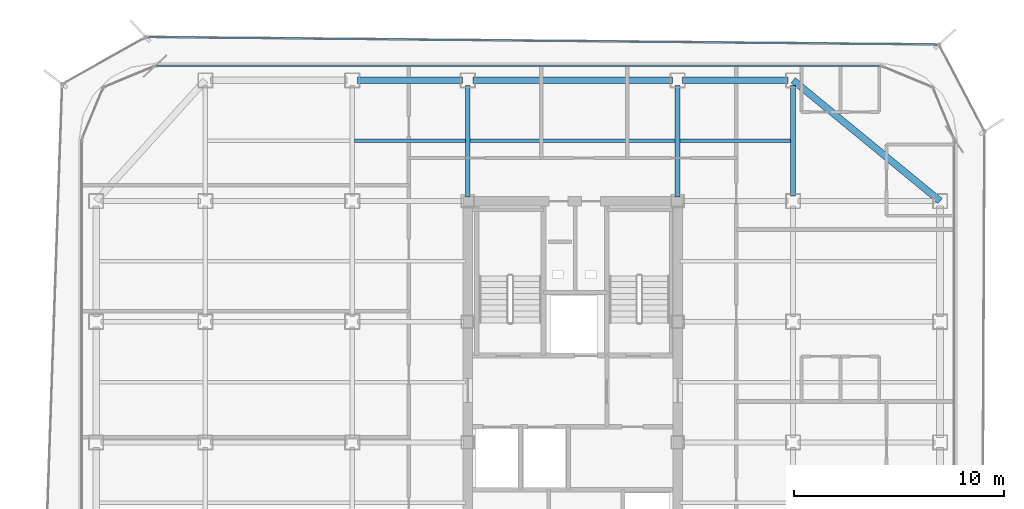
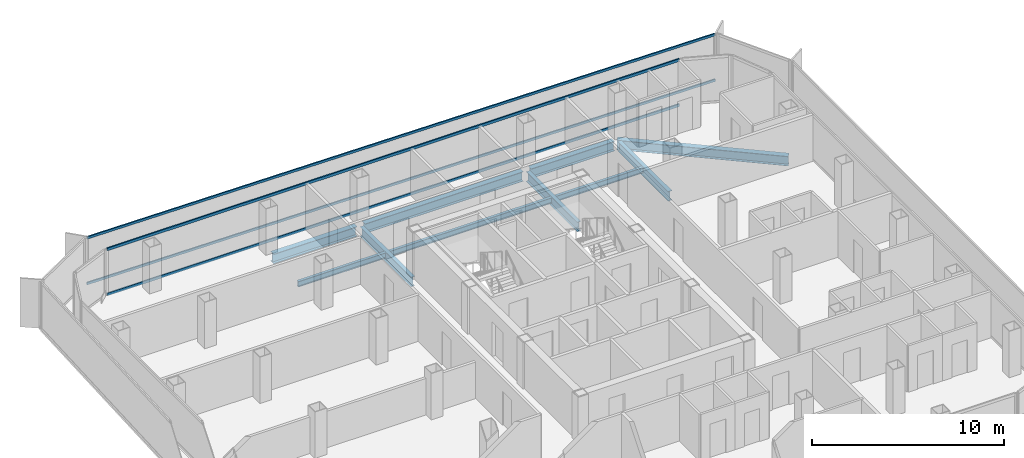
# One storey, part 7 of 15: 10 beams, 4 members, 2 elements without a shape of their own.
"""IFC4 building model written with IfcOpenShell, lengths in metres."""

import ifcopenshell
import ifcopenshell.guid

model = None  # the IFC model being written
_history = None  # IfcOwnerHistory: only IFC2X3 demands one
_inside = {}  # id of a spatial element -> (the spatial element, [elements in it])
_under = {}  # id of a project, library or spatial element -> (it, [spatial elements below it])
_declared = {}  # id of a project -> (the project, [libraries it declares])
_typed = {}  # id of a type object -> (the type object, [elements of that type])
_made_of = {}  # id of a material, layer set ... -> (it, [elements and type objects made of it])


def new_model(schema):
    """Start an empty IFC model of exactly this schema.

    Asked for "IFC4X3", IfcOpenShell would pick the latest addendum, in which some entities
    have other attributes; the version numbers below select the first issue.
    IFC2X3 requires an IfcOwnerHistory on every rooted entity: one is made here for all.
    """
    global model, _history
    if schema == "IFC4X3":
        model = ifcopenshell.file(schema_version=(4, 3, 0, 0))
    else:
        model = ifcopenshell.file(schema=schema)
    _inside.clear()
    _under.clear()
    _declared.clear()
    _typed.clear()
    _made_of.clear()
    _history = None
    if model.schema == "IFC2X3":
        org = make("IfcOrganization", Name="unknown")
        user = make(
            "IfcPersonAndOrganization",
            ThePerson=make("IfcPerson", FamilyName="unknown"),
            TheOrganization=org,
        )
        app = make(
            "IfcApplication",
            ApplicationDeveloper=org,
            Version="unknown",
            ApplicationFullName="unknown",
            ApplicationIdentifier="unknown",
        )
        _history = make(
            "IfcOwnerHistory",
            OwningUser=user,
            OwningApplication=app,
            ChangeAction="ADDED",
            CreationDate=0,
        )
    return model


def make(cls, **values):
    """One entity of the class cls with the attributes given. An attribute that is None is left unset."""
    return model.create_entity(
        cls, **{name: value for name, value in values.items() if value is not None}
    )


def rooted(cls, **values):
    """An entity with a GlobalId (a new one), such as an element, a storey or a relation."""
    return make(cls, GlobalId=ifcopenshell.guid.new(), OwnerHistory=_history, **values)


def si_unit(unit_type, name, prefix=None):
    """IfcSIUnit, for example si_unit("LENGTHUNIT", "METRE", prefix="MILLI")."""
    return make("IfcSIUnit", UnitType=unit_type, Prefix=prefix, Name=name)


def assignment(units):
    """IfcUnitAssignment: the units of a project."""
    return None if units is None else make("IfcUnitAssignment", Units=units)


def point(xyz):
    """IfcCartesianPoint."""
    return None if xyz is None else make("IfcCartesianPoint", Coordinates=xyz)


def direction(xyz):
    """IfcDirection."""
    return None if xyz is None else make("IfcDirection", DirectionRatios=xyz)


def frame(location, z_axis=None, x_axis=None):
    """IfcAxis2Placement3D, a coordinate frame: its origin and axes. An axis left out is left unset."""
    return make(
        "IfcAxis2Placement3D",
        Location=point(location),
        Axis=direction(z_axis),
        RefDirection=direction(x_axis),
    )


def frame_2d(location, x_axis=None):
    """IfcAxis2Placement2D, a coordinate frame in the plane: its origin and x axis."""
    return make(
        "IfcAxis2Placement2D", Location=point(location), RefDirection=direction(x_axis)
    )


def origin():
    """The frame at (0, 0, 0) with its axes left unset."""
    return frame((0.0, 0.0, 0.0))


def origin_2d():
    """The frame at (0, 0) in the plane with its x axis left unset."""
    return frame_2d((0.0, 0.0))


def place(relative_to, where):
    """IfcLocalPlacement: puts the frame where relative to a parent placement (None: the world)."""
    return make(
        "IfcLocalPlacement", PlacementRelTo=relative_to, RelativePlacement=where
    )


def context(
    kind, dimensions, precision=None, world=None, true_north=None, identifier=None
):
    """IfcGeometricRepresentationContext, for example the 3D "Model" context."""
    return make(
        "IfcGeometricRepresentationContext",
        ContextIdentifier=identifier,
        ContextType=kind,
        CoordinateSpaceDimension=dimensions,
        Precision=precision,
        WorldCoordinateSystem=world,
        TrueNorth=true_north,
    )


def subcontext(parent, identifier, kind, view, scale=None):
    """IfcGeometricRepresentationSubContext, for example "Body" below "Model"."""
    return make(
        "IfcGeometricRepresentationSubContext",
        ContextIdentifier=identifier,
        ContextType=kind,
        ParentContext=parent,
        TargetScale=scale,
        TargetView=view,
    )


def project(units=None, contexts=None):
    """IfcProject with its units and contexts."""
    return rooted(
        "IfcProject",
        Name="project",
        RepresentationContexts=contexts,
        UnitsInContext=assignment(units),
    )


def spatial(cls, under=None, at=None, **own):
    """A site, building, storey or space (cls), placed at a placement, below another one or the project."""
    s = rooted(cls, ObjectPlacement=at, **own)
    if under is not None:
        _under.setdefault(under.id(), (under, []))[1].append(s)
    return s


def profile(cls, at=None, kind="AREA", **sizes):
    """A parametric profile (cls). Its sizes go by their IFC names, for example OverallWidth=200.0."""
    return make(cls, ProfileType=kind, Position=at, **sizes)


def hollow_rectangle(**sizes):
    """IfcRectangleHollowProfileDef."""
    return profile("IfcRectangleHollowProfileDef", **sizes)


def i_section(**sizes):
    """IfcIShapeProfileDef."""
    return profile("IfcIShapeProfileDef", **sizes)


def extrude(swept, where, along, depth):
    """IfcExtrudedAreaSolid: the profile swept, set in the frame where, extruded along a direction by depth."""
    return make(
        "IfcExtrudedAreaSolid",
        SweptArea=swept,
        Position=where,
        ExtrudedDirection=direction(along),
        Depth=depth,
    )


def shape(context_of_items, identifier, shape_type, items):
    """IfcShapeRepresentation: the items that make up one representation, for example the "Body"."""
    return make(
        "IfcShapeRepresentation",
        ContextOfItems=context_of_items,
        RepresentationIdentifier=identifier,
        RepresentationType=shape_type,
        Items=items,
    )


def source(mapping_origin, context_of_items, identifier, shape_type, items):
    """IfcRepresentationMap: a shape defined once, which mapped items show again and again."""
    return make(
        "IfcRepresentationMap",
        MappingOrigin=mapping_origin,
        MappedRepresentation=shape(context_of_items, identifier, shape_type, items),
    )


def transform(
    local_origin,
    x_axis=None,
    y_axis=None,
    z_axis=None,
    scale=None,
    scale2=None,
    scale3=None,
    uniform=True,
):
    """IfcCartesianTransformationOperator3D, or its non-uniform kind. x_axis, y_axis, z_axis: its Axis1, 2, 3."""
    if uniform:
        return make(
            "IfcCartesianTransformationOperator3D",
            Axis1=direction(x_axis),
            Axis2=direction(y_axis),
            LocalOrigin=point(local_origin),
            Scale=scale,
            Axis3=direction(z_axis),
        )
    return make(
        "IfcCartesianTransformationOperator3DnonUniform",
        Axis1=direction(x_axis),
        Axis2=direction(y_axis),
        LocalOrigin=point(local_origin),
        Scale=scale,
        Axis3=direction(z_axis),
        Scale2=scale2,
        Scale3=scale3,
    )


def mapped(mapping_source, mapping_target):
    """IfcMappedItem: shows the shape of a source again, moved by a transform."""
    return make(
        "IfcMappedItem", MappingSource=mapping_source, MappingTarget=mapping_target
    )


def material(Name=None, Category=None):
    """IfcMaterial."""
    return make("IfcMaterial", Name=Name, Category=Category)


def layer(
    of_material, thickness, ventilated=None, Name=None, Category=None, Priority=None
):
    """IfcMaterialLayer: one layer of a wall or slab, of a material (None: an air gap)."""
    return make(
        "IfcMaterialLayer",
        Material=of_material,
        LayerThickness=thickness,
        IsVentilated=ventilated,
        Name=Name,
        Category=Category,
        Priority=Priority,
    )


def layer_set(layers, Name=None):
    """IfcMaterialLayerSet."""
    return make("IfcMaterialLayerSet", MaterialLayers=layers, LayerSetName=Name)


def material_profile(
    of_material, cross_section, Name=None, Category=None, Priority=None
):
    """IfcMaterialProfile: a cross section and its material."""
    return make(
        "IfcMaterialProfile",
        Name=Name,
        Material=of_material,
        Profile=cross_section,
        Priority=Priority,
        Category=Category,
    )


def profile_set(profiles, Name=None, composite=None):
    """IfcMaterialProfileSet."""
    return make(
        "IfcMaterialProfileSet",
        Name=Name,
        MaterialProfiles=profiles,
        CompositeProfile=composite,
    )


def made_of(thing, what):
    """Note that an element or type object is made of a material, layer set ...; save() writes the relation."""
    if what is not None:
        _made_of.setdefault(what.id(), (what, []))[1].append(thing)
    return thing


def type_object(cls, material=None, **own):
    """A type object (cls), such as IfcWallType, which elements share."""
    return made_of(rooted(cls, **own), material)


def element(
    cls,
    number,
    at=None,
    inside=None,
    cuts=None,
    type_object=None,
    material=None,
    context=None,
    identifier="Body",
    shape_type=None,
    held_by="IfcProductDefinitionShape",
    body=None,
    shapes=None,
    **own,
):
    """One element of the class cls, such as IfcWall. Its Tag is "e" and its number.

    at: its placement. inside: the storey or other place that contains it. cuts: it is an
    opening in that element (IfcRelVoidsElement). A single representation is given by context,
    identifier, shape_type and body (its items); several are given by shapes. held_by: the class
    of the entity that holds the representations. save() writes the other relations.
    """
    e = rooted(cls, Tag="e%d" % number, ObjectPlacement=at, **own)
    if body is not None:
        shapes = [shape(context, identifier, shape_type, body)]
    if shapes is not None:
        e.Representation = make(held_by, Representations=shapes)
    if inside is not None:
        _inside.setdefault(inside.id(), (inside, []))[1].append(e)
    if cuts is not None:
        rooted(
            "IfcRelVoidsElement", RelatingBuildingElement=cuts, RelatedOpeningElement=e
        )
    if type_object is not None:
        _typed.setdefault(type_object.id(), (type_object, []))[1].append(e)
    return made_of(e, material)


def aggregate(whole, parts):
    """IfcRelAggregates: a whole, such as a stair, and the parts it consists of."""
    return rooted("IfcRelAggregates", RelatingObject=whole, RelatedObjects=parts)


def save(model, path):
    """Write the relations noted so far, then the file.

    IfcRelAggregates (storeys below a building ...), IfcRelContainedInSpatialStructure (elements
    in a storey), IfcRelDefinesByType, IfcRelAssociatesMaterial and IfcRelDeclares: one each for
    every whole, place, type object, material and project.
    """
    for whole, parts in _under.values():
        aggregate(whole, parts)
    for where, things in _inside.values():
        rooted(
            "IfcRelContainedInSpatialStructure",
            RelatedElements=things,
            RelatingStructure=where,
        )
    for kind, things in _typed.values():
        rooted("IfcRelDefinesByType", RelatedObjects=things, RelatingType=kind)
    for what, things in _made_of.values():
        rooted("IfcRelAssociatesMaterial", RelatedObjects=things, RelatingMaterial=what)
    for by, libraries in _declared.values():
        rooted("IfcRelDeclares", RelatingContext=by, RelatedDefinitions=libraries)
    model.write(path)


model = new_model("IFC4")

# Units and contexts
model_context = context("Model", 3, precision=1e-05, world=origin(), true_north=direction((0.0, 1.0)))
body_context = subcontext(model_context, "Body", "Model", "MODEL_VIEW")
ifc_project = project(units=[si_unit("LENGTHUNIT", "METRE"), si_unit("AREAUNIT", "SQUARE_METRE"), si_unit("VOLUMEUNIT", "CUBIC_METRE"), si_unit("PLANEANGLEUNIT", "RADIAN"), si_unit("MASSUNIT", "GRAM", prefix="KILO")], contexts=[model_context])

# Site, building, storey
site_placement = place(None, origin())
site = spatial("IfcSite", under=ifc_project, at=site_placement, CompositionType="ELEMENT")
building_placement = place(site_placement, origin())
building = spatial("IfcBuilding", under=site, at=building_placement, Name="Kolveth Station Tower", CompositionType="ELEMENT")
storey_placement = place(building_placement, frame((0.0, 0.0, 199.60009765625)))
storey = spatial("IfcBuildingStorey", under=building, at=storey_placement, Name="L56", CompositionType="ELEMENT", Elevation=199.60009765625)

# Beams
ifc_material_1 = material(Name="Steel S355", Category="steel")
ifc_material_profile_1 = material_profile(ifc_material_1, i_section(OverallWidth=0.323974609375, OverallDepth=0.611083984375, WebThickness=0.0126953125, FlangeThickness=0.01904296875, at=origin_2d()), Name="W610x155")
ifc_profile_set_1 = profile_set([ifc_material_profile_1], Name="Steel S355")
beam_type_1 = type_object("IfcBeamType", Name="Beam_SP2", PredefinedType="SPANDREL", material=ifc_profile_set_1)
shared_shape_1 = source(origin(), body_context, "Body", "SweptSolid", [
    extrude(i_section(OverallWidth=0.323974609375, OverallDepth=0.611083984375, WebThickness=0.0126953125, FlangeThickness=0.01904296875, at=origin_2d()), origin(), (0.0, 0.0, 1.0), 5.02001953125),
])
for number, where, z_axis, x_axis, name in (
    (1, (13.239990234375, 34.5, -0.5556640625), (1.0, 0.0, 0.0), (0.0, 1.0, 0.0), "L56 Perimeter Spandrel BM-L56-PN-2"),
    (2, (28.739990234375, 34.5, -0.5556640625), (1.0, 0.0, 0.0), (0.0, 1.0, 0.0), "L56 Perimeter Spandrel BM-L56-PN-4"),
):
    element("IfcBeam", number, at=place(storey_placement, frame(where, z_axis=z_axis, x_axis=x_axis)), inside=storey, type_object=beam_type_1, Name=name, PredefinedType="SPANDREL", context=body_context, shape_type="MappedRepresentation", body=[
        mapped(shared_shape_1, transform((0.0, 0.0, 0.0), x_axis=(1.0, 0.0, 0.0), y_axis=(0.0, 1.0, 0.0), z_axis=(0.0, 0.0, 1.0), scale=1.0)),
    ])
shared_shape_2 = source(origin(), body_context, "Body", "SweptSolid", [
    extrude(i_section(OverallWidth=0.323974609375, OverallDepth=0.611083984375, WebThickness=0.0126953125, FlangeThickness=0.01904296875, at=origin_2d()), origin(), (0.0, 0.0, 1.0), 9.52001953125),
])
beam_1_placement = place(storey_placement, frame((18.739990234375, 34.5, -0.5556640625), z_axis=(1.0, 0.0, 0.0), x_axis=(0.0, 1.0, 0.0)))
element("IfcBeam", 3, at=beam_1_placement, inside=storey, type_object=beam_type_1, Name="L56 Perimeter Spandrel BM-L56-PN-3", PredefinedType="SPANDREL", context=body_context, shape_type="MappedRepresentation", body=[
    mapped(shared_shape_2, transform((0.0, 0.0, 0.0), x_axis=(1.0, 0.0, 0.0), y_axis=(0.0, 1.0, 0.0), z_axis=(0.0, 0.0, 1.0), scale=1.0)),
])
shared_shape_3 = source(origin(), body_context, "Body", "SweptSolid", [
    extrude(i_section(OverallWidth=0.323974609375, OverallDepth=0.611083984375, WebThickness=0.0126953125, FlangeThickness=0.01904296875, at=origin_2d()), origin(), (0.0, 0.0, 1.0), 9.058837890625),
])
beam_2_placement = place(storey_placement, frame((41.0, 28.75, -0.5556640625), z_axis=(-0.772726254525, 0.63473942336, 0.0), x_axis=(-0.63473942336, -0.772726254525, 0.0)))
element("IfcBeam", 4, at=beam_2_placement, inside=storey, type_object=beam_type_1, Name="L56 Corner Edge Girder BM-L56-CNR-NE", PredefinedType="SPANDREL", context=body_context, shape_type="MappedRepresentation", body=[
    mapped(shared_shape_3, transform((0.0, 0.0, 0.0), x_axis=(1.0, 0.0, 0.0), y_axis=(0.0, 1.0, 0.0), z_axis=(0.0, 0.0, 1.0), scale=1.0)),
])
ifc_material_profile_2 = material_profile(ifc_material_1, i_section(OverallWidth=0.22900390625, OverallDepth=0.612060546875, WebThickness=0.011962890625, FlangeThickness=0.01953125, at=origin_2d()), Name="W610x125")
ifc_profile_set_2 = profile_set([ifc_material_profile_2], Name="Steel S355")
beam_type_2 = type_object("IfcBeamType", Name="Beam_B5", PredefinedType="BEAM", material=ifc_profile_set_2)
shared_shape_4 = source(origin(), body_context, "Body", "SweptSolid", [
    extrude(i_section(OverallWidth=0.22900390625, OverallDepth=0.612060546875, WebThickness=0.011962890625, FlangeThickness=0.01953125, at=origin_2d()), origin(), (0.0, 0.0, 1.0), 5.27001953125),
])
beam_3_placement = place(storey_placement, frame((34.0, 28.989990234375, -0.55615234375), z_axis=(0.0, 1.0, 0.0), x_axis=(-1.0, 0.0, 0.0)))
element("IfcBeam", 5, at=beam_3_placement, inside=storey, type_object=beam_type_2, Name="L56 Primary Girder BM-L56-GX340-6", PredefinedType="BEAM", context=body_context, shape_type="MappedRepresentation", body=[
    mapped(shared_shape_4, transform((0.0, 0.0, 0.0), x_axis=(1.0, 0.0, 0.0), y_axis=(0.0, 1.0, 0.0), z_axis=(0.0, 0.0, 1.0), scale=1.0)),
])
shared_shape_5 = source(origin(), body_context, "Body", "SweptSolid", [
    extrude(i_section(OverallWidth=0.22900390625, OverallDepth=0.612060546875, WebThickness=0.011962890625, FlangeThickness=0.01953125, at=origin_2d()), origin(), (0.0, 0.0, 1.0), 5.31005859375),
])
for number, where, z_axis, x_axis, name in (
    (6, (18.5, 28.949951171875, -0.55615234375), (0.0, 1.0, 0.0), (-1.0, 0.0, 0.0), "L56 Primary Girder BM-L56-GX185-6"),
    (7, (28.5, 28.949951171875, -0.55615234375), (0.0, 1.0, 0.0), (-1.0, 0.0, 0.0), "L56 Primary Girder BM-L56-GX285-6"),
):
    element("IfcBeam", number, at=place(storey_placement, frame(where, z_axis=z_axis, x_axis=x_axis)), inside=storey, type_object=beam_type_2, Name=name, PredefinedType="BEAM", context=body_context, shape_type="MappedRepresentation", body=[
        mapped(shared_shape_5, transform((0.0, 0.0, 0.0), x_axis=(1.0, 0.0, 0.0), y_axis=(0.0, 1.0, 0.0), z_axis=(0.0, 0.0, 1.0), scale=1.0)),
    ])
ifc_material_profile_3 = material_profile(ifc_material_1, i_section(OverallWidth=0.1708984375, OverallDepth=0.35205078125, WebThickness=0.0068359375, FlangeThickness=0.009765625, at=origin_2d()), Name="W360x44")
ifc_profile_set_3 = profile_set([ifc_material_profile_3], Name="Steel S355")
beam_type_3 = type_object("IfcBeamType", Name="Beam_J2", PredefinedType="JOIST", material=ifc_profile_set_3)
shared_shape_6 = source(origin(), body_context, "Body", "SweptSolid", [
    extrude(i_section(OverallWidth=0.1708984375, OverallDepth=0.35205078125, WebThickness=0.0068359375, FlangeThickness=0.009765625, at=origin_2d()), origin(), (0.0, 0.0, 1.0), 5.27490234375),
])
for number, where, z_axis, x_axis, name in (
    (8, (13.112548828125, 31.625, -0.426025390625), (1.0, 0.0, 0.0), (0.0, 1.0, 0.0), "L56 Secondary Joist JST-L56-3-6"),
    (9, (28.612548828125, 31.625, -0.426025390625), (1.0, 0.0, 0.0), (0.0, 1.0, 0.0), "L56 Secondary Joist JST-L56-5-6"),
):
    element("IfcBeam", number, at=place(storey_placement, frame(where, z_axis=z_axis, x_axis=x_axis)), inside=storey, type_object=beam_type_3, Name=name, PredefinedType="JOIST", context=body_context, shape_type="MappedRepresentation", body=[
        mapped(shared_shape_6, transform((0.0, 0.0, 0.0), x_axis=(1.0, 0.0, 0.0), y_axis=(0.0, 1.0, 0.0), z_axis=(0.0, 0.0, 1.0), scale=1.0)),
    ])
shared_shape_7 = source(origin(), body_context, "Body", "SweptSolid", [
    extrude(i_section(OverallWidth=0.1708984375, OverallDepth=0.35205078125, WebThickness=0.0068359375, FlangeThickness=0.009765625, at=origin_2d()), origin(), (0.0, 0.0, 1.0), 9.77490234375),
])
beam_4_placement = place(storey_placement, frame((18.612548828125, 31.625, -0.426025390625), z_axis=(1.0, 0.0, 0.0), x_axis=(0.0, 1.0, 0.0)))
element("IfcBeam", 10, at=beam_4_placement, inside=storey, type_object=beam_type_3, Name="L56 Secondary Joist JST-L56-4-6", PredefinedType="JOIST", context=body_context, shape_type="MappedRepresentation", body=[
    mapped(shared_shape_7, transform((0.0, 0.0, 0.0), x_axis=(1.0, 0.0, 0.0), y_axis=(0.0, 1.0, 0.0), z_axis=(0.0, 0.0, 1.0), scale=1.0)),
])

# Curtain wall, members
ifc_material_2 = material(Name="Aluminium 6063-T6 and low-E dark glass", Category="aluminium")
ifc_layer_1 = layer(ifc_material_2, 0.18994140625)
ifc_layer_set_1 = layer_set([ifc_layer_1], Name="Aluminium 6063-T6 and low-E dark glass")
curtain_wall_type_1 = type_object("IfcCurtainWallType", Name="CurtainWall_CW-Z2", PredefinedType="NOTDEFINED", material=ifc_layer_set_1)
curtain_wall_1_placement = place(storey_placement, origin())
curtain_wall_1 = element("IfcCurtainWall", 11, at=curtain_wall_1_placement, inside=storey, type_object=curtain_wall_type_1, Name="L56 Inner Thermal Curtain Wall 6", PredefinedType="NOTDEFINED")
ifc_material_3 = material(Name="Black anodized aluminium 6063-T6", Category="aluminium")
ifc_material_profile_4 = material_profile(ifc_material_3, hollow_rectangle(XDim=0.080078125, YDim=0.169921875, WallThickness=0.0048828125, at=origin_2d()), Name="ALU-80x170x5")
ifc_profile_set_4 = profile_set([ifc_material_profile_4], Name="Black anodized aluminium 6063-T6")
member_type_1 = type_object("IfcMemberType", Name="Transom_TR2", PredefinedType="USERDEFINED", material=ifc_profile_set_4)
shared_shape_8 = source(origin(), body_context, "Body", "SweptSolid", [
    extrude(hollow_rectangle(XDim=0.080078125, YDim=0.169921875, WallThickness=0.0048828125, at=origin_2d()), origin(), (0.0, 0.0, 1.0), 34.440185546875),
])
member_1_placement = place(storey_placement, frame((38.1201171875, 35.179931640625, 0.039794921875), z_axis=(-1.0, 0.0, 0.0), x_axis=(0.0, -1.0, 0.0)))
member_1 = element("IfcMember", 12, at=member_1_placement, type_object=member_type_1, Name="CW-Z2 transom 1.1", ObjectType="TRANSOM", PredefinedType="USERDEFINED", context=body_context, shape_type="MappedRepresentation", body=[
    mapped(shared_shape_8, transform((0.0, 0.0, 0.0), x_axis=(1.0, 0.0, 0.0), y_axis=(0.0, 1.0, 0.0), z_axis=(0.0, 0.0, 1.0), scale=1.0)),
])
member_2_placement = place(storey_placement, frame((38.1201171875, 35.179931640625, 2.909912109375), z_axis=(-1.0, 0.0, 0.0), x_axis=(0.0, -1.0, 0.0)))
member_2 = element("IfcMember", 13, at=member_2_placement, type_object=member_type_1, Name="CW-Z2 transom 1.2", ObjectType="TRANSOM", PredefinedType="USERDEFINED", context=body_context, shape_type="MappedRepresentation", body=[
    mapped(shared_shape_8, transform((0.0, 0.0, 0.0), x_axis=(1.0, 0.0, 0.0), y_axis=(0.0, 1.0, 0.0), z_axis=(0.0, 0.0, 1.0), scale=1.0)),
])
aggregate(curtain_wall_1, [member_1, member_2])

ifc_material_4 = material(Name="Black anodized aluminium 6063-T6 and dark solar glass", Category="aluminium")
ifc_layer_2 = layer(ifc_material_4, 0.159912109375)
ifc_layer_set_2 = layer_set([ifc_layer_2], Name="Black anodized aluminium 6063-T6 and dark solar glass")
curtain_wall_type_2 = type_object("IfcCurtainWallType", Name="OUTER SKIN CW-OS", PredefinedType="NOTDEFINED", material=ifc_layer_set_2)
curtain_wall_2_placement = place(storey_placement, origin())
curtain_wall_2 = element("IfcCurtainWall", 14, at=curtain_wall_2_placement, inside=storey, type_object=curtain_wall_type_2, Name="L56 Outer Ventilated Skin Curtain Wall 4", PredefinedType="NOTDEFINED")
ifc_material_profile_5 = material_profile(ifc_material_3, hollow_rectangle(XDim=0.080078125, YDim=0.14990234375, WallThickness=0.0048828125, at=origin_2d()), Name="ALU-80x150x5")
ifc_profile_set_5 = profile_set([ifc_material_profile_5], Name="Black anodized aluminium 6063-T6")
member_type_2 = type_object("IfcMemberType", Name="Transom_TR-OS", PredefinedType="USERDEFINED", material=ifc_profile_set_5)
shared_shape_9 = source(origin(), body_context, "Body", "SweptSolid", [
    extrude(hollow_rectangle(XDim=0.080078125, YDim=0.14990234375, WallThickness=0.0048828125, at=origin_2d()), origin(), (0.0, 0.0, 1.0), 37.603759765625),
])
member_3_placement = place(storey_placement, frame((40.86181640625, 36.200439453125, 0.039794921875), z_axis=(-0.999954826913, 0.0095049531, 0.0), x_axis=(-0.0095049531, -0.999954826913, 0.0)))
member_3 = element("IfcMember", 15, at=member_3_placement, type_object=member_type_2, Name="CW-OS transom 1.1", ObjectType="TRANSOM", PredefinedType="USERDEFINED", context=body_context, shape_type="MappedRepresentation", body=[
    mapped(shared_shape_9, transform((0.0, 0.0, 0.0), x_axis=(1.0, 0.0, 0.0), y_axis=(0.0, 1.0, 0.0), z_axis=(0.0, 0.0, 1.0), scale=1.0)),
])
member_4_placement = place(storey_placement, frame((40.86181640625, 36.200439453125, 2.949951171875), z_axis=(-0.999954826913, 0.0095049531, 0.0), x_axis=(-0.0095049531, -0.999954826913, 0.0)))
member_4 = element("IfcMember", 16, at=member_4_placement, type_object=member_type_2, Name="CW-OS transom 1.2", ObjectType="TRANSOM", PredefinedType="USERDEFINED", context=body_context, shape_type="MappedRepresentation", body=[
    mapped(shared_shape_9, transform((0.0, 0.0, 0.0), x_axis=(1.0, 0.0, 0.0), y_axis=(0.0, 1.0, 0.0), z_axis=(0.0, 0.0, 1.0), scale=1.0)),
])
aggregate(curtain_wall_2, [member_3, member_4])

save(model, "model.ifc")
